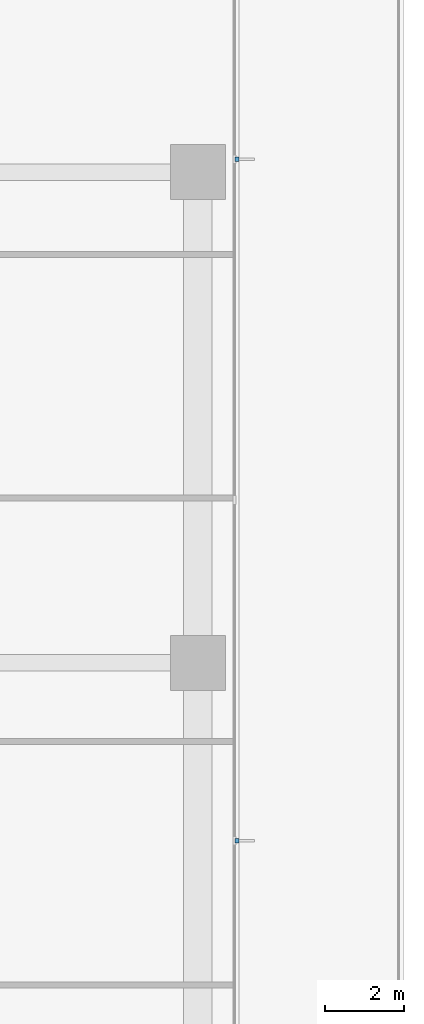
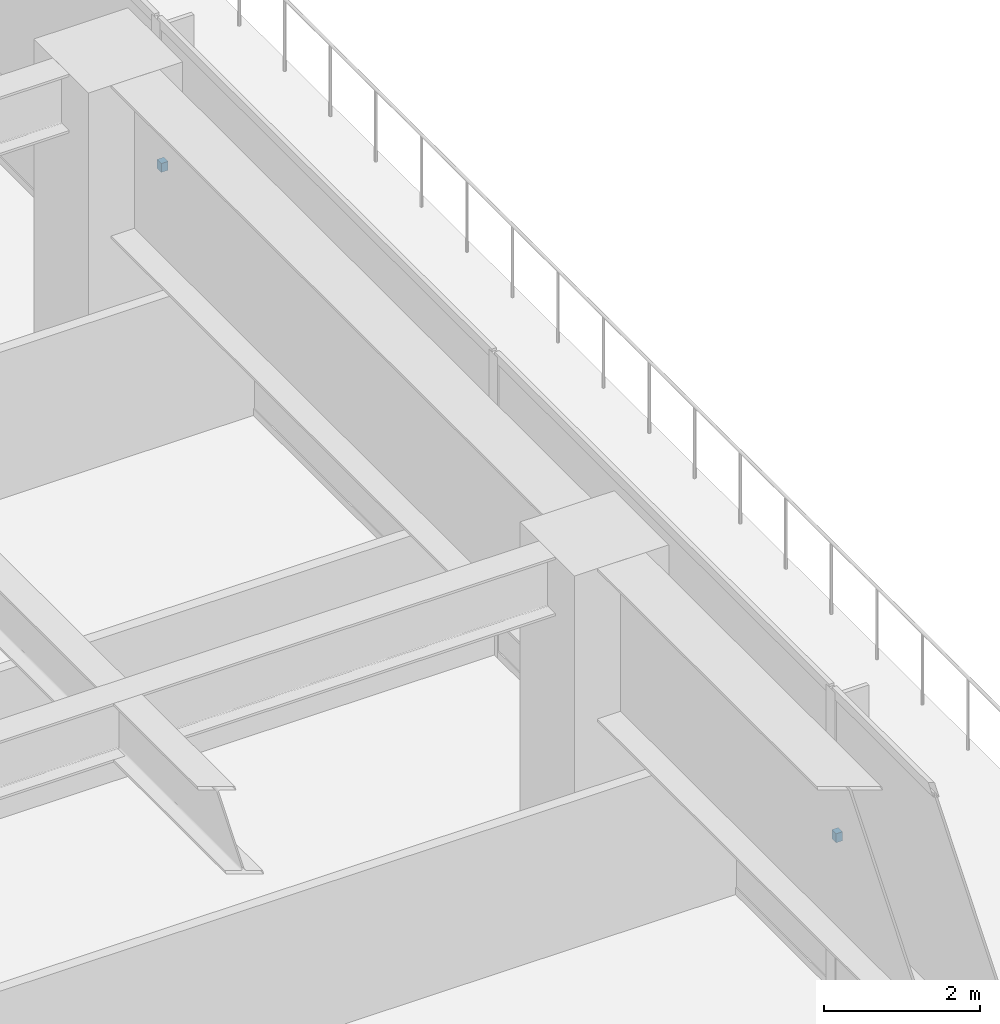
# One storey, part 13 of 19: 2 discrete accessories.
"""IFC4 building model written with IfcOpenShell, lengths in metres."""

from ifc_helpers import new_model, si_unit, direction, frame, origin, place, context, subcontext, project, spatial, polyline, outline, extrude, material, type_object, element, save


model = new_model("IFC4")

# Units and contexts
model_context = context("Model", 3, precision=1e-05, world=origin(), true_north=direction((0.0, 1.0)))
body_context = subcontext(model_context, "Body", "Model", "MODEL_VIEW")
ifc_project = project(units=[si_unit("LENGTHUNIT", "METRE"), si_unit("AREAUNIT", "SQUARE_METRE"), si_unit("VOLUMEUNIT", "CUBIC_METRE"), si_unit("PLANEANGLEUNIT", "RADIAN"), si_unit("MASSUNIT", "GRAM", prefix="KILO")], contexts=[model_context])

# Site, building, storey
site_placement = place(None, origin())
site = spatial("IfcSite", under=ifc_project, at=site_placement, CompositionType="ELEMENT")
building_placement = place(site_placement, origin())
building = spatial("IfcBuilding", under=site, at=building_placement, Name="Qalmaran Belvedere Hotel", CompositionType="ELEMENT")
storey_placement = place(building_placement, frame((0.0, 0.0, 28.39990234375)))
storey = spatial("IfcBuildingStorey", under=building, at=storey_placement, Name="L06", CompositionType="ELEMENT", Elevation=28.39990234375)

# Discrete accessories
ifc_material = material(Name="Stainless Steel 1.4401", Category="steel")
discrete_accessory_type = type_object("IfcDiscreteAccessoryType", Name="BRK-FIN-SS316", PredefinedType="BRACKET", material=ifc_material)
discrete_accessory_1_placement = place(storey_placement, frame((0.0, 0.0, 2.31005859375)))
element("IfcDiscreteAccessory", 1, at=discrete_accessory_1_placement, inside=storey, type_object=discrete_accessory_type, Name="L06 Fin Bracket 1", PredefinedType="BRACKET", context=body_context, shape_type="SweptSolid", body=[
    extrude(outline(polyline([(61.695068359375, 15.919921875), (61.79248046875, 15.919921875), (61.79248046875, 16.030029296875), (61.695068359375, 16.030029296875), (61.695068359375, 15.919921875)])), origin(), (0.0, 0.0, 1.0), 0.14013671875),
])
discrete_accessory_2_placement = place(storey_placement, frame((0.0, 0.0, 2.31005859375)))
element("IfcDiscreteAccessory", 2, at=discrete_accessory_2_placement, inside=storey, type_object=discrete_accessory_type, Name="L06 Fin Bracket 3", PredefinedType="BRACKET", context=body_context, shape_type="SweptSolid", body=[
    extrude(outline(polyline([(61.695068359375, 33.27001953125), (61.79248046875, 33.27001953125), (61.79248046875, 33.3798828125), (61.695068359375, 33.3798828125), (61.695068359375, 33.27001953125)])), origin(), (0.0, 0.0, 1.0), 0.14013671875),
])

save(model, "model.ifc")
